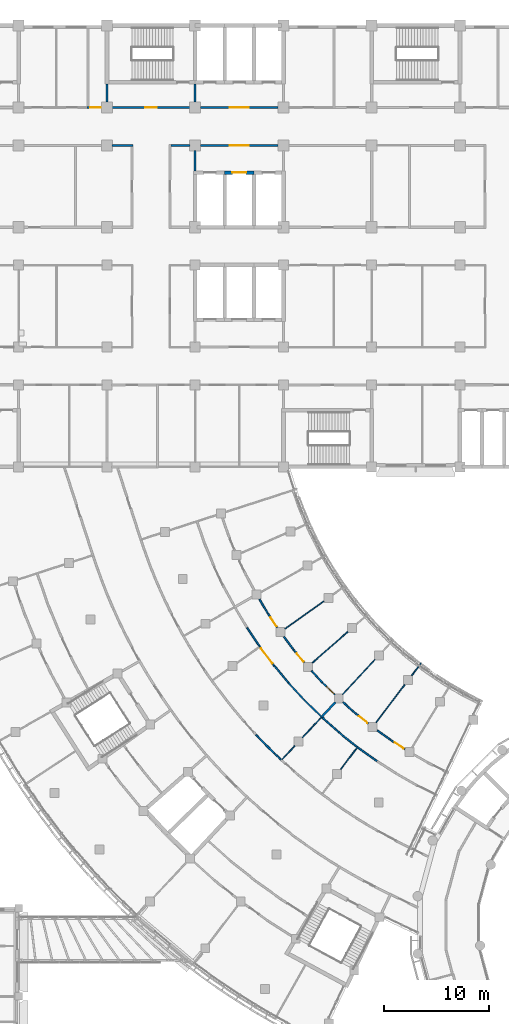
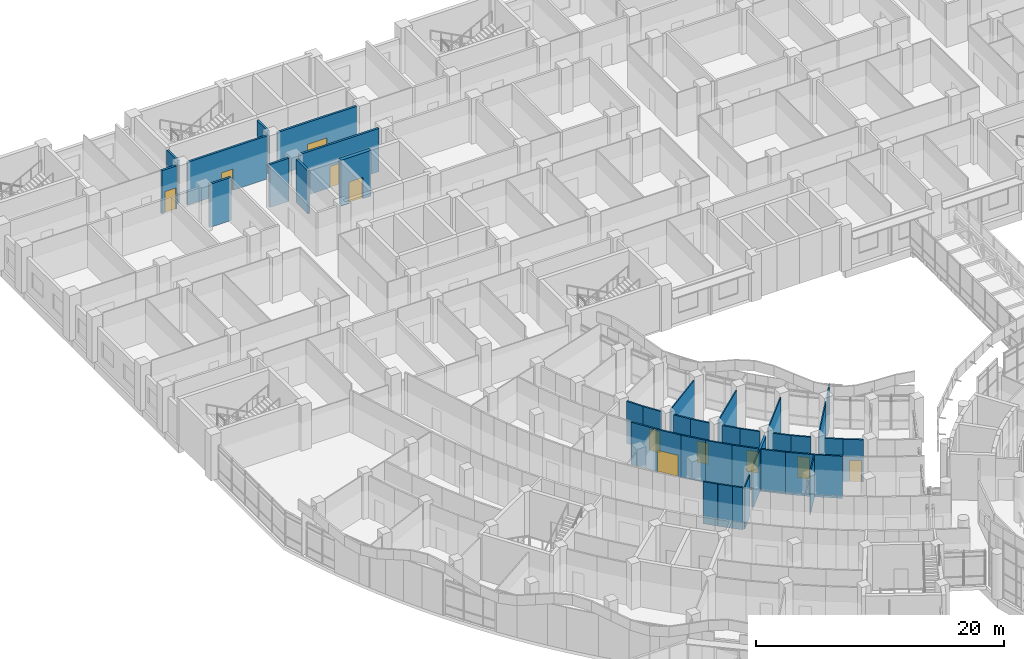
# One storey, part 69 of 136: 40 walls, 11 doors, 11 openings.
"""IFC4 building model written with IfcOpenShell, lengths in metres."""

from ifc_helpers import new_model, si_unit, direction, frame, frame_2d, origin, place, context, subcontext, project, spatial, rectangle, extrude, material, layer, layer_set, type_object, element, fill, save


model = new_model("IFC4")

# Units and contexts
model_context = context("Model", 3, precision=1e-05, world=origin(), true_north=direction((0.0, 1.0)))
body_context = subcontext(model_context, "Body", "Model", "MODEL_VIEW")
ifc_project = project(units=[si_unit("LENGTHUNIT", "METRE"), si_unit("AREAUNIT", "SQUARE_METRE"), si_unit("VOLUMEUNIT", "CUBIC_METRE"), si_unit("PLANEANGLEUNIT", "RADIAN"), si_unit("MASSUNIT", "GRAM", prefix="KILO")], contexts=[model_context])

# Site, building, storey
site_placement = place(None, origin())
site = spatial("IfcSite", under=ifc_project, at=site_placement, CompositionType="ELEMENT")
building_placement = place(site_placement, origin())
building = spatial("IfcBuilding", under=site, at=building_placement, Name="Bougainvillea Quay General Hospital", CompositionType="ELEMENT")
storey_placement = place(building_placement, frame((0.0, 0.0, 5.39990234375)))
storey = spatial("IfcBuildingStorey", under=building, at=storey_placement, Name="L01", CompositionType="ELEMENT", Elevation=5.39990234375)

# Walls
ifc_material_1 = material(Name="Gypsum board partition on steel studs", Category="steel")
ifc_layer_1 = layer(ifc_material_1, 0.10009765625)
ifc_layer_set_1 = layer_set([ifc_layer_1], Name="Gypsum board partition on steel studs")
wall_type_1 = type_object("IfcWallType", Name="Partition 100 Gypsum board partition EI 30", PredefinedType="PARTITIONING", material=ifc_layer_set_1)
wall_1_placement = place(storey_placement, frame((84.418212890625, 93.260498046875, 0.0), z_axis=(0.0, 0.0, 1.0), x_axis=(0.603501117064, 0.797362152163, 0.0)))
element("IfcWall", 1, at=wall_1_placement, inside=storey, type_object=wall_type_1, Name="Partition 100 mm EI 30", PredefinedType="PARTITIONING", context=body_context, shape_type="SweptSolid", body=[
    extrude(rectangle(XDim=4.5224609375, YDim=0.10009765625, at=frame_2d((2.26123046875, 0.0))), origin(), (0.0, 0.0, 1.0), 4.150146484375),
])
wall_2_placement = place(storey_placement, frame((87.7978515625, 97.7255859375, 0.0), z_axis=(0.0, 0.0, 1.0), x_axis=(0.603534256712, 0.797337068607, 0.0)))
element("IfcWall", 2, at=wall_2_placement, inside=storey, type_object=wall_type_1, Name="Partition 100 mm EI 30", PredefinedType="PARTITIONING", context=body_context, shape_type="SweptSolid", body=[
    extrude(rectangle(XDim=1.51171875, YDim=0.10009765625, at=frame_2d((0.755859375, 0.0))), origin(), (0.0, 0.0, 1.0), 4.150146484375),
])
wall_3_placement = place(storey_placement, frame((78.338134765625, 98.93310546875, 0.0), z_axis=(0.0, 0.0, 1.0), x_axis=(0.751823288541, 0.659364650863, 0.0)))
element("IfcWall", 3, at=wall_3_placement, inside=storey, type_object=wall_type_1, Name="Partition 100 mm EI 30", PredefinedType="PARTITIONING", context=body_context, shape_type="SweptSolid", body=[
    extrude(rectangle(XDim=4.49951171875, YDim=0.10009765625, at=frame_2d((2.249755859375, 0.0))), origin(), (0.0, 0.0, 1.0), 4.150146484375),
])
wall_4_placement = place(storey_placement, frame((75.736328125, 102.18310546875, 0.0), z_axis=(0.0, 0.0, 1.0), x_axis=(0.8147152487, 0.579861245072, 0.0)))
element("IfcWall", 4, at=wall_4_placement, inside=storey, type_object=wall_type_1, Name="Partition 100 mm EI 30", PredefinedType="PARTITIONING", context=body_context, shape_type="SweptSolid", body=[
    extrude(rectangle(XDim=4.548095703125, YDim=0.10009765625, at=frame_2d((2.27392578125, 0.0))), origin(), (0.0, 0.0, 1.0), 4.150146484375),
])
wall_5_placement = place(storey_placement, frame((81.22705078125, 95.935302734375, 0.0), z_axis=(0.0, 0.0, 1.0), x_axis=(0.681211440492, 0.732086725288, 0.0)))
element("IfcWall", 5, at=wall_5_placement, inside=storey, type_object=wall_type_1, Name="Partition 100 mm EI 30", PredefinedType="PARTITIONING", context=body_context, shape_type="SweptSolid", body=[
    extrude(rectangle(XDim=4.530029296875, YDim=0.10009765625, at=frame_2d((2.26513671875, 0.0))), origin(), (0.0, 0.0, 1.0), 4.150146484375),
])
wall_6_placement = place(storey_placement, frame((75.4677734375, 89.74560546875, 0.0), z_axis=(0.0, 0.0, 1.0), x_axis=(0.681143154038, 0.732150260334, 0.0)))
element("IfcWall", 6, at=wall_6_placement, inside=storey, type_object=wall_type_1, Name="Partition 100 mm EI 30", PredefinedType="PARTITIONING", context=body_context, shape_type="SweptSolid", body=[
    extrude(rectangle(XDim=1.785400390625, YDim=0.10009765625, at=frame_2d((0.892578125, 0.0))), origin(), (0.0, 0.0, 1.0), 4.150146484375),
])
wall_7_placement = place(storey_placement, frame((77.412109375, 91.83544921875, 0.0), z_axis=(0.0, 0.0, 1.0), x_axis=(0.681147107729, 0.732146582067, 0.0)))
element("IfcWall", 7, at=wall_7_placement, inside=storey, type_object=wall_type_1, Name="Partition 100 mm EI 30", PredefinedType="PARTITIONING", context=body_context, shape_type="SweptSolid", body=[
    extrude(rectangle(XDim=2.60888671875, YDim=0.10009765625, at=frame_2d((1.304443359375, 0.0))), origin(), (0.0, 0.0, 1.0), 4.150146484375),
])
wall_8_placement = place(storey_placement, frame((81.0380859375, 88.795654296875, 0.0), z_axis=(0.0, 0.0, 1.0), x_axis=(0.603561177332, 0.797316690668, 0.0)))
element("IfcWall", 8, at=wall_8_placement, inside=storey, type_object=wall_type_1, Name="Partition 100 mm EI 30", PredefinedType="PARTITIONING", context=body_context, shape_type="SweptSolid", body=[
    extrude(rectangle(XDim=2.58447265625, YDim=0.10009765625, at=frame_2d((1.292236328125, 0.0))), origin(), (0.0, 0.0, 1.0), 4.150146484375),
])

# Wall, opening, door
ifc_material_2 = material(Name="Gypsum board partition on steel studs, insulated", Category="steel")
ifc_layer_2 = layer(ifc_material_2, 0.14990234375)
ifc_layer_set_2 = layer_set([ifc_layer_2], Name="Gypsum board partition on steel studs, insulated")
wall_type_2 = type_object("IfcWallType", Name="Partition 150 Gypsum board partition EI 30", PredefinedType="PARTITIONING", material=ifc_layer_set_2)
wall_9_placement = place(storey_placement, frame((73.306884765625, 100.547119140625, 0.0), z_axis=(0.0, 0.0, 1.0), x_axis=(0.600377090661, -0.799717043091, 0.0)))
wall_9 = element("IfcWall", 9, at=wall_9_placement, inside=storey, type_object=wall_type_2, Name="Partition 150 mm EI 30", PredefinedType="PARTITIONING", context=body_context, shape_type="SweptSolid", body=[
    extrude(rectangle(XDim=2.382080078125, YDim=0.14990234375, at=frame_2d((1.19091796875, 0.0))), origin(), (0.0, 0.0, 1.0), 4.150146484375),
])
opening_1_placement = place(wall_9_placement, frame((0.291015625, 0.0, 0.0)))
opening_1 = element("IfcOpeningElement", 10, at=opening_1_placement, cuts=wall_9, Name="Opening L01.227", PredefinedType="OPENING", context=body_context, shape_type="SweptSolid", body=[
    extrude(rectangle(XDim=1.800048828125, YDim=2.10009765625, at=frame_2d((0.89990234375, 1.050048828125))), frame((0.0, 0.0849609375, 0.0), z_axis=(0.0, -1.0, 0.0), x_axis=(1.0, 0.0, 0.0)), (0.0, 0.0, 1.0), 0.169921875),
])
ifc_material_3 = material(Name="Solid-core timber door leaves in steel frame", Category="steel")
door_type_1 = type_object("IfcDoorType", Name="Double leaf door 1800x2100", OperationType="DOUBLE_DOOR_SINGLE_SWING", PredefinedType="DOOR", material=ifc_material_3)
door_1_placement = place(opening_1_placement, origin())
door_1 = element("IfcDoor", 11, at=door_1_placement, inside=storey, type_object=door_type_1, Name="DT08 L01.227", OperationType="DOUBLE_DOOR_SINGLE_SWING", OverallHeight=2.10009765625, OverallWidth=1.800048828125, PredefinedType="DOOR", context=body_context, shape_type="SweptSolid", body=[
    extrude(rectangle(XDim=1.800048828125, YDim=2.10009765625, at=frame_2d((0.89990234375, 1.050048828125))), frame((0.0, 0.02490234375, 0.0), z_axis=(0.0, -1.0, 0.0), x_axis=(1.0, 0.0, 0.0)), (0.0, 0.0, 1.0), 0.050048828125),
])
fill(opening_1, door_1)

# Walls
wall_10_placement = place(storey_placement, frame((82.5830078125, 90.960693359375, 0.0), z_axis=(0.0, 0.0, 1.0), x_axis=(0.812456963848, -0.583021167622, 0.0)))
element("IfcWall", 12, at=wall_10_placement, inside=storey, type_object=wall_type_2, Name="Partition 150 mm EI 30", PredefinedType="PARTITIONING", context=body_context, shape_type="SweptSolid", body=[
    extrude(rectangle(XDim=2.38134765625, YDim=0.14990234375, at=frame_2d((1.190673828125, 0.0))), origin(), (0.0, 0.0, 1.0), 4.150146484375),
])
wall_11_placement = place(storey_placement, frame((80.84130859375, 92.355712890625, 0.0), z_axis=(0.0, 0.0, 1.0), x_axis=(0.781561025488, -0.62382879337, 0.0)))
element("IfcWall", 13, at=wall_11_placement, inside=storey, type_object=wall_type_2, Name="Partition 150 mm EI 30", PredefinedType="PARTITIONING", context=body_context, shape_type="SweptSolid", body=[
    extrude(rectangle(XDim=2.235107421875, YDim=0.14990234375, at=frame_2d((1.11767578125, 0.0))), origin(), (0.0, 0.0, 1.0), 4.150146484375),
])
wall_12_placement = place(storey_placement, frame((77.5791015625, 95.39990234375, 0.0), z_axis=(0.0, 0.0, 1.0), x_axis=(0.720594722174, -0.693356507415, 0.0)))
element("IfcWall", 14, at=wall_12_placement, inside=storey, type_object=wall_type_2, Name="Partition 150 mm EI 30", PredefinedType="PARTITIONING", context=body_context, shape_type="SweptSolid", body=[
    extrude(rectangle(XDim=2.204833984375, YDim=0.14990234375, at=frame_2d((1.1025390625, 0.0))), origin(), (0.0, 0.0, 1.0), 4.150146484375),
])
wall_13_placement = place(storey_placement, frame((76.069091796875, 97.043212890625, 0.0), z_axis=(0.0, 0.0, 1.0), x_axis=(0.678030610295, -0.735033666918, 0.0)))
element("IfcWall", 15, at=wall_13_placement, inside=storey, type_object=wall_type_2, Name="Partition 150 mm EI 30", PredefinedType="PARTITIONING", context=body_context, shape_type="SweptSolid", body=[
    extrude(rectangle(XDim=2.235595703125, YDim=0.14990234375, at=frame_2d((1.11767578125, 0.0))), origin(), (0.0, 0.0, 1.0), 4.150146484375),
])
wall_14_placement = place(storey_placement, frame((79.31640625, 93.7333984375, 0.0), z_axis=(0.0, 0.0, 1.0), x_axis=(0.74346507851, -0.668774758073, 0.0)))
element("IfcWall", 16, at=wall_14_placement, inside=storey, type_object=wall_type_2, Name="Partition 150 mm EI 30", PredefinedType="PARTITIONING", context=body_context, shape_type="SweptSolid", body=[
    extrude(rectangle(XDim=2.059326171875, YDim=0.14990234375, at=frame_2d((1.02978515625, 0.0))), origin(), (0.0, 0.0, 1.0), 4.150146484375),
])
wall_15_placement = place(storey_placement, frame((72.14453125, 102.2783203125, 0.0), z_axis=(0.0, 0.0, 1.0), x_axis=(0.558900636953, -0.829234633873, 0.0)))
element("IfcWall", 17, at=wall_15_placement, inside=storey, type_object=wall_type_2, Name="Partition 150 mm EI 30", PredefinedType="PARTITIONING", context=body_context, shape_type="SweptSolid", body=[
    extrude(rectangle(XDim=2.0888671875, YDim=0.14990234375, at=frame_2d((1.04443359375, 0.0))), origin(), (0.0, 0.0, 1.0), 4.150146484375),
])
wall_16_placement = place(storey_placement, frame((74.73779296875, 98.647216796875, 0.0), z_axis=(0.0, 0.0, 1.0), x_axis=(0.640000381719, -0.768374590548, 0.0)))
element("IfcWall", 18, at=wall_16_placement, inside=storey, type_object=wall_type_2, Name="Partition 150 mm EI 30", PredefinedType="PARTITIONING", context=body_context, shape_type="SweptSolid", body=[
    extrude(rectangle(XDim=2.088134765625, YDim=0.14990234375, at=frame_2d((1.0439453125, 0.0))), origin(), (0.0, 0.0, 1.0), 4.150146484375),
])

# Wall, opening, door
wall_17_placement = place(storey_placement, frame((74.086181640625, 103.690185546875, 0.0), z_axis=(0.0, 0.0, 1.0), x_axis=(0.558985889655, -0.829177167538, 0.0)))
wall_17 = element("IfcWall", 19, at=wall_17_placement, inside=storey, type_object=wall_type_2, Name="Partition 150 mm EI 30", PredefinedType="PARTITIONING", context=body_context, shape_type="SweptSolid", body=[
    extrude(rectangle(XDim=1.653564453125, YDim=0.14990234375, at=frame_2d((0.82666015625, 0.0))), origin(), (0.0, 0.0, 1.0), 4.150146484375),
])
opening_2_placement = place(wall_17_placement, frame((0.5302734375, 0.0, 0.0)))
opening_2 = element("IfcOpeningElement", 20, at=opening_2_placement, cuts=wall_17, Name="Opening L01.263", PredefinedType="OPENING", context=body_context, shape_type="SweptSolid", body=[
    extrude(rectangle(XDim=1.0, YDim=2.10009765625, at=frame_2d((0.5, 1.050048828125))), frame((0.0, 0.0849609375, 0.0), z_axis=(0.0, -1.0, 0.0), x_axis=(1.0, 0.0, 0.0)), (0.0, 0.0, 1.0), 0.169921875),
])
ifc_material_4 = material(Name="Solid-core timber door leaf in steel frame", Category="steel")
door_type_2 = type_object("IfcDoorType", Name="Single leaf door 1000x2100 FD30S", OperationType="NOTDEFINED", PredefinedType="DOOR", material=ifc_material_4)
door_2_placement = place(opening_2_placement, origin())
door_2 = element("IfcDoor", 21, at=door_2_placement, inside=storey, type_object=door_type_2, Name="DT15 L01.263", OperationType="SINGLE_SWING_RIGHT", OverallHeight=2.10009765625, OverallWidth=1.0, PredefinedType="DOOR", context=body_context, shape_type="SweptSolid", body=[
    extrude(rectangle(XDim=1.0, YDim=2.10009765625, at=frame_2d((0.5, 1.050048828125))), frame((0.0, 0.02490234375, 0.0), z_axis=(0.0, -1.0, 0.0), x_axis=(1.0, 0.0, 0.0)), (0.0, 0.0, 1.0), 0.050048828125),
])
fill(opening_2, door_2)

wall_18_placement = place(storey_placement, frame((82.384521484375, 94.19384765625, 0.0), z_axis=(0.0, 0.0, 1.0), x_axis=(0.781756052881, -0.623584375833, 0.0)))
wall_18 = element("IfcWall", 22, at=wall_18_placement, inside=storey, type_object=wall_type_2, Name="Partition 150 mm EI 30", PredefinedType="PARTITIONING", context=body_context, shape_type="SweptSolid", body=[
    extrude(rectangle(XDim=1.63623046875, YDim=0.14990234375, at=frame_2d((0.818115234375, 0.0))), origin(), (0.0, 0.0, 1.0), 4.150146484375),
])
opening_3_placement = place(wall_18_placement, frame((0.5302734375, 0.0, 0.0)))
opening_3 = element("IfcOpeningElement", 23, at=opening_3_placement, cuts=wall_18, Name="Opening L01.259", PredefinedType="OPENING", context=body_context, shape_type="SweptSolid", body=[
    extrude(rectangle(XDim=1.0, YDim=2.10009765625, at=frame_2d((0.5, 1.050048828125))), frame((0.0, 0.0849609375, 0.0), z_axis=(0.0, -1.0, 0.0), x_axis=(1.0, 0.0, 0.0)), (0.0, 0.0, 1.0), 0.169921875),
])
door_3_placement = place(opening_3_placement, origin())
door_3 = element("IfcDoor", 24, at=door_3_placement, inside=storey, type_object=door_type_2, Name="DT15 L01.259", OperationType="SINGLE_SWING_RIGHT", OverallHeight=2.10009765625, OverallWidth=1.0, PredefinedType="DOOR", context=body_context, shape_type="SweptSolid", body=[
    extrude(rectangle(XDim=1.0, YDim=2.10009765625, at=frame_2d((0.5, 1.050048828125))), frame((0.0, 0.02490234375, 0.0), z_axis=(0.0, -1.0, 0.0), x_axis=(1.0, 0.0, 0.0)), (0.0, 0.0, 1.0), 0.050048828125),
])
fill(opening_3, door_3)

wall_19_placement = place(storey_placement, frame((85.743896484375, 91.6416015625, 0.0), z_axis=(0.0, 0.0, 1.0), x_axis=(0.840848932624, -0.54126987031, 0.0)))
wall_19 = element("IfcWall", 25, at=wall_19_placement, inside=storey, type_object=wall_type_2, Name="Partition 150 mm EI 30", PredefinedType="PARTITIONING", context=body_context, shape_type="SweptSolid", body=[
    extrude(rectangle(XDim=1.66162109375, YDim=0.14990234375, at=frame_2d((0.830810546875, 0.0))), origin(), (0.0, 0.0, 1.0), 4.150146484375),
])
opening_4_placement = place(wall_19_placement, frame((0.52978515625, 0.0, 0.0)))
opening_4 = element("IfcOpeningElement", 26, at=opening_4_placement, cuts=wall_19, Name="Opening L01.258", PredefinedType="OPENING", context=body_context, shape_type="SweptSolid", body=[
    extrude(rectangle(XDim=1.0, YDim=2.10009765625, at=frame_2d((0.5, 1.050048828125))), frame((0.0, 0.0849609375, 0.0), z_axis=(0.0, -1.0, 0.0), x_axis=(1.0, 0.0, 0.0)), (0.0, 0.0, 1.0), 0.169921875),
])
door_4_placement = place(opening_4_placement, origin())
door_4 = element("IfcDoor", 27, at=door_4_placement, inside=storey, type_object=door_type_2, Name="DT15 L01.258", OperationType="SINGLE_SWING_RIGHT", OverallHeight=2.10009765625, OverallWidth=1.0, PredefinedType="DOOR", context=body_context, shape_type="SweptSolid", body=[
    extrude(rectangle(XDim=1.0, YDim=2.10009765625, at=frame_2d((0.5, 1.050048828125))), frame((0.0, 0.02490234375, 0.0), z_axis=(0.0, -1.0, 0.0), x_axis=(1.0, 0.0, 0.0)), (0.0, 0.0, 1.0), 0.050048828125),
])
fill(opening_4, door_4)

wall_20_placement = place(storey_placement, frame((79.301025390625, 97.072021484375, 0.0), z_axis=(0.0, 0.0, 1.0), x_axis=(0.720465115712, -0.69349118022, 0.0)))
wall_20 = element("IfcWall", 28, at=wall_20_placement, inside=storey, type_object=wall_type_2, Name="Partition 150 mm EI 30", PredefinedType="PARTITIONING", context=body_context, shape_type="SweptSolid", body=[
    extrude(rectangle(XDim=1.68359375, YDim=0.14990234375, at=frame_2d((0.841796875, 0.0))), origin(), (0.0, 0.0, 1.0), 4.150146484375),
])
opening_5_placement = place(wall_20_placement, frame((0.52978515625, 0.0, 0.0)))
opening_5 = element("IfcOpeningElement", 29, at=opening_5_placement, cuts=wall_20, Name="Opening L01.261", PredefinedType="OPENING", context=body_context, shape_type="SweptSolid", body=[
    extrude(rectangle(XDim=1.0, YDim=2.10009765625, at=frame_2d((0.5, 1.050048828125))), frame((0.0, 0.0849609375, 0.0), z_axis=(0.0, -1.0, 0.0), x_axis=(1.0, 0.0, 0.0)), (0.0, 0.0, 1.0), 0.169921875),
])
door_5_placement = place(opening_5_placement, origin())
door_5 = element("IfcDoor", 30, at=door_5_placement, inside=storey, type_object=door_type_2, Name="DT15 L01.261", OperationType="SINGLE_SWING_RIGHT", OverallHeight=2.10009765625, OverallWidth=1.0, PredefinedType="DOOR", context=body_context, shape_type="SweptSolid", body=[
    extrude(rectangle(XDim=1.0, YDim=2.10009765625, at=frame_2d((0.5, 1.050048828125))), frame((0.0, 0.02490234375, 0.0), z_axis=(0.0, -1.0, 0.0), x_axis=(1.0, 0.0, 0.0)), (0.0, 0.0, 1.0), 0.050048828125),
])
fill(opening_5, door_5)

# Walls
wall_21_placement = place(storey_placement, frame((84.535888671875, 92.51318359375, 0.0), z_axis=(0.0, 0.0, 1.0), x_axis=(0.81243891359, -0.583046320359, 0.0)))
element("IfcWall", 31, at=wall_21_placement, inside=storey, type_object=wall_type_2, Name="Partition 150 mm EI 30", PredefinedType="PARTITIONING", context=body_context, shape_type="SweptSolid", body=[
    extrude(rectangle(XDim=1.4931640625, YDim=0.14990234375, at=frame_2d((0.74658203125, 0.0))), origin(), (0.0, 0.0, 1.0), 4.150146484375),
])
wall_22_placement = place(storey_placement, frame((78.27001953125, 98.1953125, 0.0), z_axis=(0.0, 0.0, 1.0), x_axis=(0.678273469528, -0.73480956753, 0.0)))
element("IfcWall", 32, at=wall_22_placement, inside=storey, type_object=wall_type_2, Name="Partition 150 mm EI 30", PredefinedType="PARTITIONING", context=body_context, shape_type="SweptSolid", body=[
    extrude(rectangle(XDim=1.528564453125, YDim=0.14990234375, at=frame_2d((0.76416015625, 0.0))), origin(), (0.0, 0.0, 1.0), 4.150146484375),
])

# Wall, opening, door
wall_23_placement = place(storey_placement, frame((76.52587890625, 100.24853515625, 0.0), z_axis=(0.0, 0.0, 1.0), x_axis=(0.640038659854, -0.768342706019, 0.0)))
wall_23 = element("IfcWall", 33, at=wall_23_placement, inside=storey, type_object=wall_type_2, Name="Partition 150 mm EI 30", PredefinedType="PARTITIONING", context=body_context, shape_type="SweptSolid", body=[
    extrude(rectangle(XDim=1.64794921875, YDim=0.14990234375, at=frame_2d((0.823974609375, 0.0))), origin(), (0.0, 0.0, 1.0), 4.150146484375),
])
opening_6_placement = place(wall_23_placement, frame((0.52978515625, 0.0, 0.0)))
opening_6 = element("IfcOpeningElement", 34, at=opening_6_placement, cuts=wall_23, Name="Opening L01.262", PredefinedType="OPENING", context=body_context, shape_type="SweptSolid", body=[
    extrude(rectangle(XDim=1.0, YDim=2.10009765625, at=frame_2d((0.5, 1.050048828125))), frame((0.0, 0.0849609375, 0.0), z_axis=(0.0, -1.0, 0.0), x_axis=(1.0, 0.0, 0.0)), (0.0, 0.0, 1.0), 0.169921875),
])
door_6_placement = place(opening_6_placement, origin())
door_6 = element("IfcDoor", 35, at=door_6_placement, inside=storey, type_object=door_type_2, Name="DT15 L01.262", OperationType="SINGLE_SWING_RIGHT", OverallHeight=2.10009765625, OverallWidth=1.0, PredefinedType="DOOR", context=body_context, shape_type="SweptSolid", body=[
    extrude(rectangle(XDim=1.0, YDim=2.10009765625, at=frame_2d((0.5, 1.050048828125))), frame((0.0, 0.02490234375, 0.0), z_axis=(0.0, -1.0, 0.0), x_axis=(1.0, 0.0, 0.0)), (0.0, 0.0, 1.0), 0.050048828125),
])
fill(opening_6, door_6)

# Walls
wall_24_placement = place(storey_placement, frame((73.3193359375, 104.99658203125, 0.0), z_axis=(0.0, 0.0, 1.0), x_axis=(0.508740142918, -0.86092012811, 0.0)))
element("IfcWall", 36, at=wall_24_placement, inside=storey, type_object=wall_type_2, Name="Partition 150 mm EI 30", PredefinedType="PARTITIONING", context=body_context, shape_type="SweptSolid", body=[
    extrude(rectangle(XDim=1.518798828125, YDim=0.14990234375, at=frame_2d((0.75927734375, 0.0))), origin(), (0.0, 0.0, 1.0), 4.150146484375),
])
wall_25_placement = place(storey_placement, frame((75.641357421875, 101.433837890625, 0.0), z_axis=(0.0, 0.0, 1.0), x_axis=(0.60023710435, -0.799822116825, 0.0)))
element("IfcWall", 37, at=wall_25_placement, inside=storey, type_object=wall_type_2, Name="Partition 150 mm EI 30", PredefinedType="PARTITIONING", context=body_context, shape_type="SweptSolid", body=[
    extrude(rectangle(XDim=1.482666015625, YDim=0.14990234375, at=frame_2d((0.7412109375, 0.0))), origin(), (0.0, 0.0, 1.0), 4.150146484375),
])
wall_26_placement = place(storey_placement, frame((81.2734375, 95.19873046875, 0.0), z_axis=(0.0, 0.0, 1.0), x_axis=(0.743576936712, -0.668650386368, 0.0)))
element("IfcWall", 38, at=wall_26_placement, inside=storey, type_object=wall_type_2, Name="Partition 150 mm EI 30", PredefinedType="PARTITIONING", context=body_context, shape_type="SweptSolid", body=[
    extrude(rectangle(XDim=1.502197265625, YDim=0.14990234375, at=frame_2d((0.7509765625, 0.0))), origin(), (0.0, 0.0, 1.0), 4.150146484375),
])
wall_27_placement = place(storey_placement, frame((72.9921875, 92.1064453125, 0.0), z_axis=(0.0, 0.0, 1.0), x_axis=(0.691209259047, -0.72265466179, 0.0)))
element("IfcWall", 39, at=wall_27_placement, inside=storey, type_object=wall_type_2, Name="Partition 150 mm EI 30", PredefinedType="PARTITIONING", context=body_context, shape_type="SweptSolid", body=[
    extrude(rectangle(XDim=1.2421875, YDim=0.14990234375, at=frame_2d((0.62109375, 0.0))), origin(), (0.0, 0.0, 1.0), 4.150146484375),
])
wall_28_placement = place(storey_placement, frame((73.850830078125, 91.21142578125, 0.0), z_axis=(0.0, 0.0, 1.0), x_axis=(0.709168733207, -0.70503879882, 0.0)))
element("IfcWall", 40, at=wall_28_placement, inside=storey, type_object=wall_type_2, Name="Partition 150 mm EI 30", PredefinedType="PARTITIONING", context=body_context, shape_type="SweptSolid", body=[
    extrude(rectangle(XDim=1.241455078125, YDim=0.14990234375, at=frame_2d((0.62060546875, 0.0))), origin(), (0.0, 0.0, 1.0), 4.150146484375),
])
wall_29_placement = place(storey_placement, frame((74.731201171875, 90.338623046875, 0.0), z_axis=(0.0, 0.0, 1.0), x_axis=(0.725923200466, -0.687775767984, 0.0)))
element("IfcWall", 41, at=wall_29_placement, inside=storey, type_object=wall_type_2, Name="Partition 150 mm EI 30", PredefinedType="PARTITIONING", context=body_context, shape_type="SweptSolid", body=[
    extrude(rectangle(XDim=0.870361328125, YDim=0.14990234375, at=frame_2d((0.43505859375, 0.0))), origin(), (0.0, 0.0, 1.0), 4.150146484375),
])

# Wall, opening, door
ifc_material_5 = material(Name="Fire-rated autoclaved aerated block wall, plastered")
ifc_layer_3 = layer(ifc_material_5, 0.199951171875)
ifc_layer_set_3 = layer_set([ifc_layer_3], Name="Fire-rated autoclaved aerated block wall, plastered")
wall_type_3 = type_object("IfcWallType", Name="Partition 200 Fire-rated autoclaved aerated block wall EI 120", PredefinedType="SOLIDWALL", material=ifc_layer_set_3)
wall_30_placement = place(storey_placement, frame((75.10009765625, 151.800048828125, 0.0), z_axis=(0.0, 0.0, 1.0), x_axis=(-1.0, 0.0, 0.0)))
wall_30 = element("IfcWall", 42, at=wall_30_placement, inside=storey, type_object=wall_type_3, Name="Partition 200 mm EI 120", PredefinedType="SOLIDWALL", context=body_context, shape_type="SweptSolid", body=[
    extrude(rectangle(XDim=7.400146484375, YDim=0.199951171875, at=frame_2d((3.7001953125, 0.0))), origin(), (0.0, 0.0, 1.0), 4.25),
])
opening_7_placement = place(wall_30_placement, frame((2.800048828125, 0.0, 0.0)))
opening_7 = element("IfcOpeningElement", 43, at=opening_7_placement, cuts=wall_30, Name="Opening L01.051", PredefinedType="OPENING", context=body_context, shape_type="SweptSolid", body=[
    extrude(rectangle(XDim=1.800048828125, YDim=2.10009765625, at=frame_2d((0.89990234375, 1.050048828125))), frame((0.0, 0.10986328125, 0.0), z_axis=(0.0, -1.0, 0.0), x_axis=(1.0, 0.0, 0.0)), (0.0, 0.0, 1.0), 0.219970703125),
])
ifc_material_6 = material(Name="Steel fire door leaves in steel frame", Category="steel")
door_type_3 = type_object("IfcDoorType", Name="Steel double leaf door 1800x2100 FD60", OperationType="DOUBLE_DOOR_SINGLE_SWING", PredefinedType="DOOR", material=ifc_material_6)
door_7_placement = place(opening_7_placement, frame((1.800048828125, 0.0, 0.0), z_axis=(0.0, 0.0, 1.0), x_axis=(-1.0, 0.0, 0.0)))
door_7 = element("IfcDoor", 44, at=door_7_placement, inside=storey, type_object=door_type_3, Name="DT05 L01.051", OperationType="DOUBLE_DOOR_SINGLE_SWING", OverallHeight=2.10009765625, OverallWidth=1.800048828125, PredefinedType="DOOR", context=body_context, shape_type="SweptSolid", body=[
    extrude(rectangle(XDim=1.800048828125, YDim=2.10009765625, at=frame_2d((0.89990234375, 1.050048828125))), frame((0.0, 0.02490234375, 0.0), z_axis=(0.0, -1.0, 0.0), x_axis=(1.0, 0.0, 0.0)), (0.0, 0.0, 1.0), 0.050048828125),
])
fill(opening_7, door_7)

wall_31_placement = place(storey_placement, frame((66.699951171875, 151.800048828125, 0.0), z_axis=(0.0, 0.0, 1.0), x_axis=(-1.0, 0.0, 0.0)))
wall_31 = element("IfcWall", 45, at=wall_31_placement, inside=storey, type_object=wall_type_3, Name="Partition 200 mm EI 120", PredefinedType="SOLIDWALL", context=body_context, shape_type="SweptSolid", body=[
    extrude(rectangle(XDim=7.39990234375, YDim=0.199951171875, at=frame_2d((3.699951171875, 0.0))), origin(), (0.0, 0.0, 1.0), 4.25),
])
opening_8_placement = place(wall_31_placement, frame((3.14990234375, 0.0, 0.0)))
opening_8 = element("IfcOpeningElement", 46, at=opening_8_placement, cuts=wall_31, Name="Opening L01.043", PredefinedType="OPENING", context=body_context, shape_type="SweptSolid", body=[
    extrude(rectangle(XDim=1.10009765625, YDim=2.10009765625, at=frame_2d((0.550048828125, 1.050048828125))), frame((0.0, 0.10986328125, 0.0), z_axis=(0.0, -1.0, 0.0), x_axis=(1.0, 0.0, 0.0)), (0.0, 0.0, 1.0), 0.219970703125),
])
ifc_material_7 = material(Name="Steel fire door leaf in steel frame", Category="steel")
door_type_4 = type_object("IfcDoorType", Name="Steel single leaf door 1100x2100 FD60", OperationType="NOTDEFINED", PredefinedType="DOOR", material=ifc_material_7)
door_8_placement = place(opening_8_placement, frame((1.10009765625, 0.0, 0.0), z_axis=(0.0, 0.0, 1.0), x_axis=(-1.0, 0.0, 0.0)))
door_8 = element("IfcDoor", 47, at=door_8_placement, inside=storey, type_object=door_type_4, Name="DT04 L01.043", OperationType="SINGLE_SWING_RIGHT", OverallHeight=2.10009765625, OverallWidth=1.10009765625, PredefinedType="DOOR", context=body_context, shape_type="SweptSolid", body=[
    extrude(rectangle(XDim=1.10009765625, YDim=2.10009765625, at=frame_2d((0.550048828125, 1.050048828125))), frame((0.0, 0.02490234375, 0.0), z_axis=(0.0, -1.0, 0.0), x_axis=(1.0, 0.0, 0.0)), (0.0, 0.0, 1.0), 0.050048828125),
])
fill(opening_8, door_8)

wall_32_placement = place(storey_placement, frame((58.300048828125, 151.800048828125, 0.0), z_axis=(0.0, 0.0, 1.0), x_axis=(-1.0, 0.0, 0.0)))
wall_32 = element("IfcWall", 48, at=wall_32_placement, inside=storey, type_object=wall_type_3, Name="Partition 200 mm EI 120", PredefinedType="SOLIDWALL", context=body_context, shape_type="SweptSolid", body=[
    extrude(rectangle(XDim=1.402099609375, YDim=0.199951171875, at=frame_2d((0.701171875, 0.0))), origin(), (0.0, 0.0, 1.0), 4.25),
])
opening_9_placement = place(wall_32_placement, frame((0.10107421875, 0.0, 0.0)))
opening_9 = element("IfcOpeningElement", 49, at=opening_9_placement, cuts=wall_32, Name="Opening L01.186", PredefinedType="OPENING", context=body_context, shape_type="SweptSolid", body=[
    extrude(rectangle(XDim=1.0, YDim=2.10009765625, at=frame_2d((0.5, 1.050048828125))), frame((0.0, 0.10986328125, 0.0), z_axis=(0.0, -1.0, 0.0), x_axis=(1.0, 0.0, 0.0)), (0.0, 0.0, 1.0), 0.219970703125),
])
door_type_5 = type_object("IfcDoorType", Name="Steel single leaf door 1000x2100 FD90", OperationType="NOTDEFINED", PredefinedType="DOOR", material=ifc_material_7)
door_9_placement = place(opening_9_placement, frame((1.0, 0.0, 0.0), z_axis=(0.0, 0.0, 1.0), x_axis=(-1.0, 0.0, 0.0)))
door_9 = element("IfcDoor", 50, at=door_9_placement, inside=storey, type_object=door_type_5, Name="DT11 L01.186", OperationType="SINGLE_SWING_RIGHT", OverallHeight=2.10009765625, OverallWidth=1.0, PredefinedType="DOOR", context=body_context, shape_type="SweptSolid", body=[
    extrude(rectangle(XDim=1.0, YDim=2.10009765625, at=frame_2d((0.5, 1.050048828125))), frame((0.0, 0.02490234375, 0.0), z_axis=(0.0, -1.0, 0.0), x_axis=(1.0, 0.0, 0.0)), (0.0, 0.0, 1.0), 0.050048828125),
])
fill(opening_9, door_9)

# Wall
wall_33_placement = place(storey_placement, frame((58.800048828125, 152.300048828125, 0.0), z_axis=(0.0, 0.0, 1.0), x_axis=(0.0, 1.0, 0.0)))
element("IfcWall", 51, at=wall_33_placement, inside=storey, type_object=wall_type_3, Name="Partition 200 mm EI 120", PredefinedType="SOLIDWALL", context=body_context, shape_type="SweptSolid", body=[
    extrude(rectangle(XDim=1.724853515625, YDim=0.199951171875, at=frame_2d((0.8623046875, 0.0))), origin(), (0.0, 0.0, 1.0), 4.25),
])

# Wall, opening, door
wall_34_placement = place(storey_placement, frame((67.699951171875, 148.199951171875, 0.0), z_axis=(0.0, 0.0, 1.0), x_axis=(1.0, 0.0, 0.0)))
wall_34 = element("IfcWall", 52, at=wall_34_placement, inside=storey, type_object=wall_type_3, Name="Partition 200 mm EI 120", PredefinedType="SOLIDWALL", context=body_context, shape_type="SweptSolid", body=[
    extrude(rectangle(XDim=7.400146484375, YDim=0.199951171875, at=frame_2d((3.7001953125, 0.0))), origin(), (0.0, 0.0, 1.0), 4.25),
])
opening_10_placement = place(wall_34_placement, frame((2.800048828125, 0.0, 0.0)))
opening_10 = element("IfcOpeningElement", 53, at=opening_10_placement, cuts=wall_34, Name="Opening L01.047", PredefinedType="OPENING", context=body_context, shape_type="SweptSolid", body=[
    extrude(rectangle(XDim=1.800048828125, YDim=2.10009765625, at=frame_2d((0.89990234375, 1.050048828125))), frame((0.0, 0.10986328125, 0.0), z_axis=(0.0, -1.0, 0.0), x_axis=(1.0, 0.0, 0.0)), (0.0, 0.0, 1.0), 0.219970703125),
])
door_10_placement = place(opening_10_placement, frame((1.800048828125, 0.0, 0.0), z_axis=(0.0, 0.0, 1.0), x_axis=(-1.0, 0.0, 0.0)))
door_10 = element("IfcDoor", 54, at=door_10_placement, inside=storey, type_object=door_type_3, Name="DT05 L01.047", OperationType="DOUBLE_DOOR_SINGLE_SWING", OverallHeight=2.10009765625, OverallWidth=1.800048828125, PredefinedType="DOOR", context=body_context, shape_type="SweptSolid", body=[
    extrude(rectangle(XDim=1.800048828125, YDim=2.10009765625, at=frame_2d((0.89990234375, 1.050048828125))), frame((0.0, 0.02490234375, 0.0), z_axis=(0.0, -1.0, 0.0), x_axis=(1.0, 0.0, 0.0)), (0.0, 0.0, 1.0), 0.050048828125),
])
fill(opening_10, door_10)

# Walls
wall_35_placement = place(storey_placement, frame((67.199951171875, 145.77490234375, 0.0), z_axis=(0.0, 0.0, 1.0), x_axis=(0.0, 1.0, 0.0)))
element("IfcWall", 55, at=wall_35_placement, inside=storey, type_object=wall_type_3, Name="Partition 200 mm EI 120", PredefinedType="SOLIDWALL", context=body_context, shape_type="SweptSolid", body=[
    extrude(rectangle(XDim=1.925048828125, YDim=0.199951171875, at=frame_2d((0.96240234375, 0.0))), origin(), (0.0, 0.0, 1.0), 4.25),
])
wall_36_placement = place(storey_placement, frame((67.199951171875, 152.300048828125, 0.0), z_axis=(0.0, 0.0, 1.0), x_axis=(0.0, 1.0, 0.0)))
element("IfcWall", 56, at=wall_36_placement, inside=storey, type_object=wall_type_3, Name="Partition 200 mm EI 120", PredefinedType="SOLIDWALL", context=body_context, shape_type="SweptSolid", body=[
    extrude(rectangle(XDim=1.724853515625, YDim=0.199951171875, at=frame_2d((0.8623046875, 0.0))), origin(), (0.0, 0.0, 1.0), 4.25),
])
wall_37_placement = place(storey_placement, frame((79.18994140625, 93.74609375, 0.0), z_axis=(0.0, 0.0, 1.0), x_axis=(0.681171780306, 0.732123627344, 0.0)))
element("IfcWall", 57, at=wall_37_placement, inside=storey, type_object=wall_type_3, Name="Partition 200 mm EI 120", PredefinedType="SOLIDWALL", context=body_context, shape_type="SweptSolid", body=[
    extrude(rectangle(XDim=1.97412109375, YDim=0.199951171875, at=frame_2d((0.987060546875, 0.0))), origin(), (0.0, 0.0, 1.0), 4.150146484375),
])
ifc_layer_4 = layer(ifc_material_5, 0.199951171875)
ifc_layer_set_4 = layer_set([ifc_layer_4], Name="Fire-rated autoclaved aerated block wall, plastered")
wall_type_4 = type_object("IfcWallType", Name="Partition 200 Fire-rated autoclaved aerated block wall EI 60", PredefinedType="SOLIDWALL", material=ifc_layer_set_4)
wall_38_placement = place(storey_placement, frame((59.300048828125, 148.199951171875, 0.0), z_axis=(0.0, 0.0, 1.0), x_axis=(1.0, 0.0, 0.0)))
element("IfcWall", 58, at=wall_38_placement, inside=storey, type_object=wall_type_4, Name="Partition 200 mm EI 60", PredefinedType="SOLIDWALL", context=body_context, shape_type="SweptSolid", body=[
    extrude(rectangle(XDim=2.0, YDim=0.199951171875, at=frame_2d((1.0, 0.0))), origin(), (0.0, 0.0, 1.0), 4.25),
])
wall_39_placement = place(storey_placement, frame((64.89990234375, 148.199951171875, 0.0), z_axis=(0.0, 0.0, 1.0), x_axis=(1.0, 0.0, 0.0)))
element("IfcWall", 59, at=wall_39_placement, inside=storey, type_object=wall_type_4, Name="Partition 200 mm EI 60", PredefinedType="SOLIDWALL", context=body_context, shape_type="SweptSolid", body=[
    extrude(rectangle(XDim=1.800048828125, YDim=0.199951171875, at=frame_2d((0.89990234375, 0.0))), origin(), (0.0, 0.0, 1.0), 4.25),
])

# Wall, opening, door
ifc_material_8 = material(Name="Concrete C40", Category="concrete")
ifc_layer_5 = layer(ifc_material_8, 0.35009765625)
ifc_layer_set_5 = layer_set([ifc_layer_5], Name="Concrete C40")
wall_type_5 = type_object("IfcWallType", Name="RC SHEAR WALL 350 C40", PredefinedType="SHEAR", material=ifc_layer_set_5)
wall_40_placement = place(storey_placement, frame((70.0, 145.60009765625, 0.0), z_axis=(0.0, 0.0, 1.0), x_axis=(1.0, 0.0, 0.0)))
wall_40 = element("IfcWall", 60, at=wall_40_placement, inside=storey, type_object=wall_type_5, Name="Shear wall L01", PredefinedType="SHEAR", context=body_context, shape_type="SweptSolid", body=[
    extrude(rectangle(XDim=2.800048828125, YDim=0.35009765625, at=frame_2d((1.39990234375, 0.0))), origin(), (0.0, 0.0, 1.0), 4.5),
])
opening_11_placement = place(wall_40_placement, frame((0.75, 0.0, 0.0)))
opening_11 = element("IfcOpeningElement", 61, at=opening_11_placement, cuts=wall_40, Name="Opening LD-A1.2-L01", PredefinedType="OPENING", context=body_context, shape_type="SweptSolid", body=[
    extrude(rectangle(XDim=1.300048828125, YDim=2.10009765625, at=frame_2d((0.64990234375, 1.050048828125))), frame((0.0, 0.18505859375, 0.0), z_axis=(0.0, -1.0, 0.0), x_axis=(1.0, 0.0, 0.0)), (0.0, 0.0, 1.0), 0.3701171875),
])
ifc_material_9 = material(Name="Stainless steel centre-opening landing door", Category="steel")
door_type_6 = type_object("IfcDoorType", Name="Lift landing door 1300x2100 E 120", OperationType="DOUBLE_DOOR_SLIDING", PredefinedType="DOOR", material=ifc_material_9)
door_11_placement = place(opening_11_placement, origin())
door_11 = element("IfcDoor", 62, at=door_11_placement, inside=storey, type_object=door_type_6, Name="Lift landing door LB-A1-2 L01", OperationType="DOUBLE_DOOR_SLIDING", OverallHeight=2.10009765625, OverallWidth=1.300048828125, PredefinedType="DOOR", context=body_context, shape_type="SweptSolid", body=[
    extrude(rectangle(XDim=1.300048828125, YDim=2.10009765625, at=frame_2d((0.64990234375, 1.050048828125))), frame((0.0, 0.02490234375, 0.0), z_axis=(0.0, -1.0, 0.0), x_axis=(1.0, 0.0, 0.0)), (0.0, 0.0, 1.0), 0.050048828125),
])
fill(opening_11, door_11)

save(model, "model.ifc")
